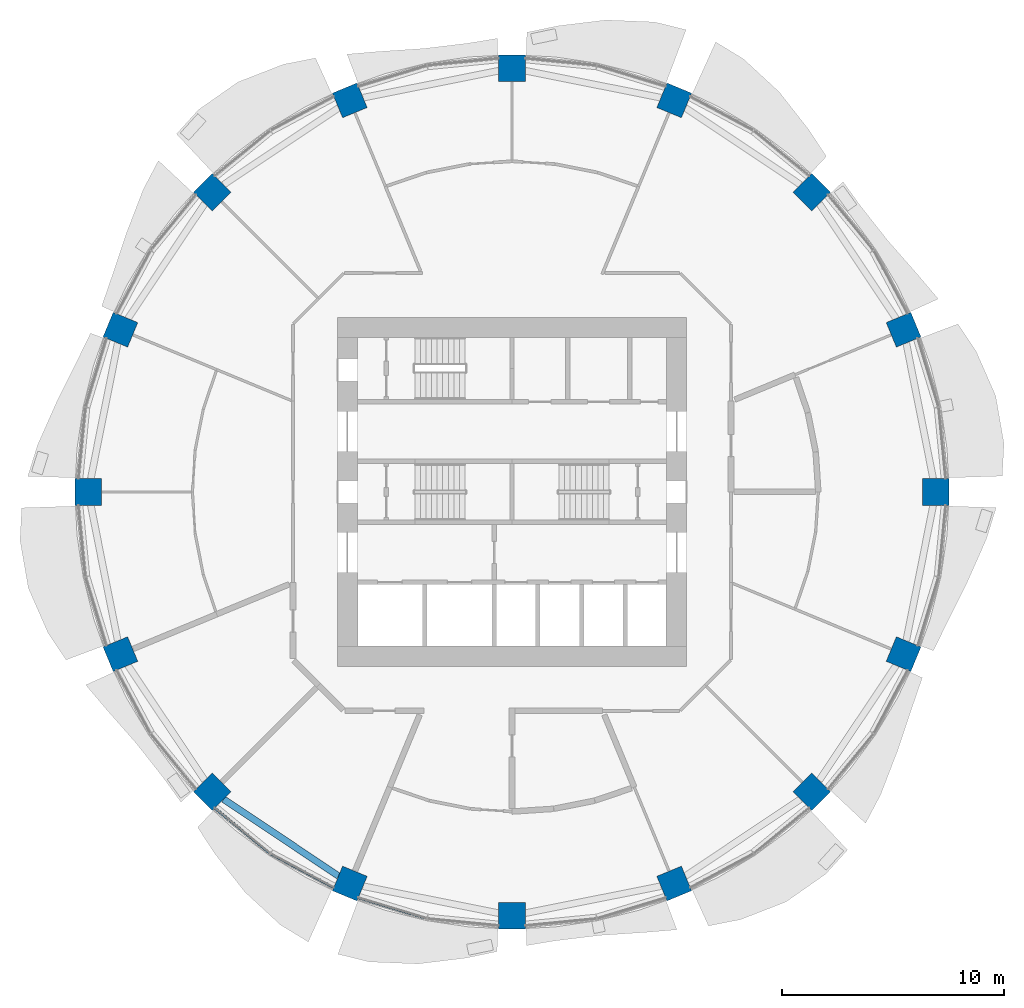
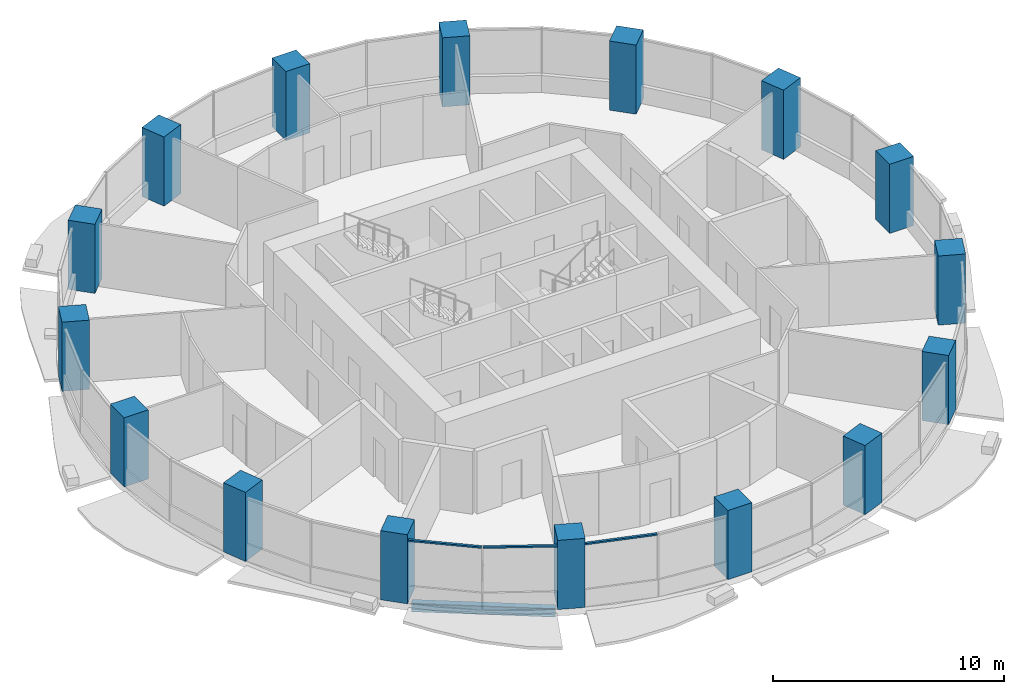
# One storey, part 1 of 15: 16 columns, 3 members, 1 beam, 2 elements without a shape of their own.
"""IFC4 building model written with IfcOpenShell, lengths in metres."""

import ifcopenshell
import ifcopenshell.guid

model = None  # the IFC model being written
_history = None  # IfcOwnerHistory: only IFC2X3 demands one
_inside = {}  # id of a spatial element -> (the spatial element, [elements in it])
_under = {}  # id of a project, library or spatial element -> (it, [spatial elements below it])
_declared = {}  # id of a project -> (the project, [libraries it declares])
_typed = {}  # id of a type object -> (the type object, [elements of that type])
_made_of = {}  # id of a material, layer set ... -> (it, [elements and type objects made of it])


def new_model(schema):
    """Start an empty IFC model of exactly this schema.

    Asked for "IFC4X3", IfcOpenShell would pick the latest addendum, in which some entities
    have other attributes; the version numbers below select the first issue.
    IFC2X3 requires an IfcOwnerHistory on every rooted entity: one is made here for all.
    """
    global model, _history
    if schema == "IFC4X3":
        model = ifcopenshell.file(schema_version=(4, 3, 0, 0))
    else:
        model = ifcopenshell.file(schema=schema)
    _inside.clear()
    _under.clear()
    _declared.clear()
    _typed.clear()
    _made_of.clear()
    _history = None
    if model.schema == "IFC2X3":
        org = make("IfcOrganization", Name="unknown")
        user = make(
            "IfcPersonAndOrganization",
            ThePerson=make("IfcPerson", FamilyName="unknown"),
            TheOrganization=org,
        )
        app = make(
            "IfcApplication",
            ApplicationDeveloper=org,
            Version="unknown",
            ApplicationFullName="unknown",
            ApplicationIdentifier="unknown",
        )
        _history = make(
            "IfcOwnerHistory",
            OwningUser=user,
            OwningApplication=app,
            ChangeAction="ADDED",
            CreationDate=0,
        )
    return model


def make(cls, **values):
    """One entity of the class cls with the attributes given. An attribute that is None is left unset."""
    return model.create_entity(
        cls, **{name: value for name, value in values.items() if value is not None}
    )


def rooted(cls, **values):
    """An entity with a GlobalId (a new one), such as an element, a storey or a relation."""
    return make(cls, GlobalId=ifcopenshell.guid.new(), OwnerHistory=_history, **values)


def si_unit(unit_type, name, prefix=None):
    """IfcSIUnit, for example si_unit("LENGTHUNIT", "METRE", prefix="MILLI")."""
    return make("IfcSIUnit", UnitType=unit_type, Prefix=prefix, Name=name)


def assignment(units):
    """IfcUnitAssignment: the units of a project."""
    return None if units is None else make("IfcUnitAssignment", Units=units)


def point(xyz):
    """IfcCartesianPoint."""
    return None if xyz is None else make("IfcCartesianPoint", Coordinates=xyz)


def direction(xyz):
    """IfcDirection."""
    return None if xyz is None else make("IfcDirection", DirectionRatios=xyz)


def frame(location, z_axis=None, x_axis=None):
    """IfcAxis2Placement3D, a coordinate frame: its origin and axes. An axis left out is left unset."""
    return make(
        "IfcAxis2Placement3D",
        Location=point(location),
        Axis=direction(z_axis),
        RefDirection=direction(x_axis),
    )


def frame_2d(location, x_axis=None):
    """IfcAxis2Placement2D, a coordinate frame in the plane: its origin and x axis."""
    return make(
        "IfcAxis2Placement2D", Location=point(location), RefDirection=direction(x_axis)
    )


def origin():
    """The frame at (0, 0, 0) with its axes left unset."""
    return frame((0.0, 0.0, 0.0))


def origin_2d():
    """The frame at (0, 0) in the plane with its x axis left unset."""
    return frame_2d((0.0, 0.0))


def place(relative_to, where):
    """IfcLocalPlacement: puts the frame where relative to a parent placement (None: the world)."""
    return make(
        "IfcLocalPlacement", PlacementRelTo=relative_to, RelativePlacement=where
    )


def context(
    kind, dimensions, precision=None, world=None, true_north=None, identifier=None
):
    """IfcGeometricRepresentationContext, for example the 3D "Model" context."""
    return make(
        "IfcGeometricRepresentationContext",
        ContextIdentifier=identifier,
        ContextType=kind,
        CoordinateSpaceDimension=dimensions,
        Precision=precision,
        WorldCoordinateSystem=world,
        TrueNorth=true_north,
    )


def subcontext(parent, identifier, kind, view, scale=None):
    """IfcGeometricRepresentationSubContext, for example "Body" below "Model"."""
    return make(
        "IfcGeometricRepresentationSubContext",
        ContextIdentifier=identifier,
        ContextType=kind,
        ParentContext=parent,
        TargetScale=scale,
        TargetView=view,
    )


def project(units=None, contexts=None):
    """IfcProject with its units and contexts."""
    return rooted(
        "IfcProject",
        Name="project",
        RepresentationContexts=contexts,
        UnitsInContext=assignment(units),
    )


def spatial(cls, under=None, at=None, **own):
    """A site, building, storey or space (cls), placed at a placement, below another one or the project."""
    s = rooted(cls, ObjectPlacement=at, **own)
    if under is not None:
        _under.setdefault(under.id(), (under, []))[1].append(s)
    return s


def profile(cls, at=None, kind="AREA", **sizes):
    """A parametric profile (cls). Its sizes go by their IFC names, for example OverallWidth=200.0."""
    return make(cls, ProfileType=kind, Position=at, **sizes)


def rectangle(**sizes):
    """IfcRectangleProfileDef."""
    return profile("IfcRectangleProfileDef", **sizes)


def i_section(**sizes):
    """IfcIShapeProfileDef."""
    return profile("IfcIShapeProfileDef", **sizes)


def extrude(swept, where, along, depth):
    """IfcExtrudedAreaSolid: the profile swept, set in the frame where, extruded along a direction by depth."""
    return make(
        "IfcExtrudedAreaSolid",
        SweptArea=swept,
        Position=where,
        ExtrudedDirection=direction(along),
        Depth=depth,
    )


def shape(context_of_items, identifier, shape_type, items):
    """IfcShapeRepresentation: the items that make up one representation, for example the "Body"."""
    return make(
        "IfcShapeRepresentation",
        ContextOfItems=context_of_items,
        RepresentationIdentifier=identifier,
        RepresentationType=shape_type,
        Items=items,
    )


def material(Name=None, Category=None):
    """IfcMaterial."""
    return make("IfcMaterial", Name=Name, Category=Category)


def material_profile(
    of_material, cross_section, Name=None, Category=None, Priority=None
):
    """IfcMaterialProfile: a cross section and its material."""
    return make(
        "IfcMaterialProfile",
        Name=Name,
        Material=of_material,
        Profile=cross_section,
        Priority=Priority,
        Category=Category,
    )


def profile_set(profiles, Name=None, composite=None):
    """IfcMaterialProfileSet."""
    return make(
        "IfcMaterialProfileSet",
        Name=Name,
        MaterialProfiles=profiles,
        CompositeProfile=composite,
    )


def made_of(thing, what):
    """Note that an element or type object is made of a material, layer set ...; save() writes the relation."""
    if what is not None:
        _made_of.setdefault(what.id(), (what, []))[1].append(thing)
    return thing


def type_object(cls, material=None, **own):
    """A type object (cls), such as IfcWallType, which elements share."""
    return made_of(rooted(cls, **own), material)


def element(
    cls,
    number,
    at=None,
    inside=None,
    cuts=None,
    type_object=None,
    material=None,
    context=None,
    identifier="Body",
    shape_type=None,
    held_by="IfcProductDefinitionShape",
    body=None,
    shapes=None,
    **own,
):
    """One element of the class cls, such as IfcWall. Its Tag is "e" and its number.

    at: its placement. inside: the storey or other place that contains it. cuts: it is an
    opening in that element (IfcRelVoidsElement). A single representation is given by context,
    identifier, shape_type and body (its items); several are given by shapes. held_by: the class
    of the entity that holds the representations. save() writes the other relations.
    """
    e = rooted(cls, Tag="e%d" % number, ObjectPlacement=at, **own)
    if body is not None:
        shapes = [shape(context, identifier, shape_type, body)]
    if shapes is not None:
        e.Representation = make(held_by, Representations=shapes)
    if inside is not None:
        _inside.setdefault(inside.id(), (inside, []))[1].append(e)
    if cuts is not None:
        rooted(
            "IfcRelVoidsElement", RelatingBuildingElement=cuts, RelatedOpeningElement=e
        )
    if type_object is not None:
        _typed.setdefault(type_object.id(), (type_object, []))[1].append(e)
    return made_of(e, material)


def aggregate(whole, parts):
    """IfcRelAggregates: a whole, such as a stair, and the parts it consists of."""
    return rooted("IfcRelAggregates", RelatingObject=whole, RelatedObjects=parts)


def save(model, path):
    """Write the relations noted so far, then the file.

    IfcRelAggregates (storeys below a building ...), IfcRelContainedInSpatialStructure (elements
    in a storey), IfcRelDefinesByType, IfcRelAssociatesMaterial and IfcRelDeclares: one each for
    every whole, place, type object, material and project.
    """
    for whole, parts in _under.values():
        aggregate(whole, parts)
    for where, things in _inside.values():
        rooted(
            "IfcRelContainedInSpatialStructure",
            RelatedElements=things,
            RelatingStructure=where,
        )
    for kind, things in _typed.values():
        rooted("IfcRelDefinesByType", RelatedObjects=things, RelatingType=kind)
    for what, things in _made_of.values():
        rooted("IfcRelAssociatesMaterial", RelatedObjects=things, RelatingMaterial=what)
    for by, libraries in _declared.values():
        rooted("IfcRelDeclares", RelatingContext=by, RelatedDefinitions=libraries)
    model.write(path)


model = new_model("IFC4")

# Units and contexts
model_context = context("Model", 3, precision=1e-05, world=origin(), true_north=direction((0.0, 1.0)))
body_context = subcontext(model_context, "Body", "Model", "MODEL_VIEW")
ifc_project = project(units=[si_unit("LENGTHUNIT", "METRE"), si_unit("AREAUNIT", "SQUARE_METRE"), si_unit("VOLUMEUNIT", "CUBIC_METRE"), si_unit("PLANEANGLEUNIT", "RADIAN"), si_unit("MASSUNIT", "GRAM", prefix="KILO")], contexts=[model_context])

# Site, building, storey
site_placement = place(None, origin())
site = spatial("IfcSite", under=ifc_project, at=site_placement, CompositionType="ELEMENT")
building_placement = place(site_placement, origin())
building = spatial("IfcBuilding", under=site, at=building_placement, Name="Polderwave Tower", CompositionType="ELEMENT")
storey_placement = place(building_placement, frame((0.0, 0.0, 37.14990234375)))
storey = spatial("IfcBuildingStorey", under=building, at=storey_placement, Name="L09", CompositionType="ELEMENT", Elevation=37.14990234375)

# Columns
ifc_material_1 = material(Name="Concrete C70/85", Category="concrete")
ifc_material_profile_1 = material_profile(ifc_material_1, rectangle(XDim=1.199951171875, YDim=1.199951171875, at=origin_2d()), Name="RC 1200x1200")
ifc_profile_set_1 = profile_set([ifc_material_profile_1], Name="Concrete C70/85")
column_type = type_object("IfcColumnType", Name="RC COLUMN 1200x1200 C70/85", PredefinedType="COLUMN", material=ifc_profile_set_1)
for number, where, z_axis, x_axis, name in (
    (1, (19.110107421875, 0.0, 0.0), (0.0, 0.0, 1.0), (1.0, 0.0, 0.0), "Ring column 01"),
    (2, (17.6552734375, 7.31298828125, 0.0), (0.0, 0.0, 1.0), (0.923879532511, 0.382683432365, 0.0), "Ring column 02"),
    (3, (13.5126953125, 13.5126953125, 0.0), (0.0, 0.0, 1.0), (0.707106781187, 0.707106781187, 0.0), "Ring column 03"),
    (4, (7.31298828125, 17.6552734375, 0.0), (0.0, 0.0, 1.0), (0.382683432365, 0.923879532511, 0.0), "Ring column 04"),
    (5, (0.0, 19.110107421875, 0.0), (0.0, 0.0, 1.0), (0.0, 1.0, 0.0), "Ring column 05"),
    (6, (-7.31298828125, 17.6552734375, 0.0), (0.0, 0.0, 1.0), (-0.382683432365, 0.923879532511, 0.0), "Ring column 06"),
    (7, (-13.5126953125, 13.5126953125, 0.0), (0.0, 0.0, 1.0), (-0.707106781187, 0.707106781187, 0.0), "Ring column 07"),
    (8, (-17.6552734375, 7.31298828125, 0.0), (0.0, 0.0, 1.0), (-0.923879532511, 0.382683432365, 0.0), "Ring column 08"),
    (9, (-19.110107421875, 0.0, 0.0), (0.0, 0.0, 1.0), (-1.0, 0.0, 0.0), "Ring column 09"),
    (10, (-17.6552734375, -7.31298828125, 0.0), (0.0, 0.0, 1.0), (-0.923879532511, -0.382683432365, 0.0), "Ring column 10"),
    (11, (-13.5126953125, -13.5126953125, 0.0), (0.0, 0.0, 1.0), (-0.707106781187, -0.707106781187, 0.0), "Ring column 11"),
    (12, (-7.31298828125, -17.6552734375, 0.0), (0.0, 0.0, 1.0), (-0.382683432365, -0.923879532511, 0.0), "Ring column 12"),
    (13, (0.0, -19.110107421875, 0.0), (0.0, 0.0, 1.0), (0.0, -1.0, 0.0), "Ring column 13"),
    (14, (7.31298828125, -17.6552734375, 0.0), (0.0, 0.0, 1.0), (0.382683432365, -0.923879532511, 0.0), "Ring column 14"),
    (15, (13.5126953125, -13.5126953125, 0.0), (0.0, 0.0, 1.0), (0.707106781187, -0.707106781187, 0.0), "Ring column 15"),
    (16, (17.6552734375, -7.31298828125, 0.0), (0.0, 0.0, 1.0), (0.923879532511, -0.382683432365, 0.0), "Ring column 16"),
):
    element("IfcColumn", number, at=place(storey_placement, frame(where, z_axis=z_axis, x_axis=x_axis)), inside=storey, type_object=column_type, Name=name, PredefinedType="COLUMN", context=body_context, shape_type="SweptSolid", body=[
        extrude(rectangle(XDim=1.199951171875, YDim=1.199951171875, at=origin_2d()), origin(), (0.0, 0.0, 1.0), 3.650146484375),
    ])

# Curtain wall, members
ifc_material_2 = material(Name="Aluminium 6063-T6 and glass", Category="aluminium")
curtain_wall_type = type_object("IfcCurtainWallType", Name="Growing floor ribbon glazing wall", PredefinedType="NOTDEFINED", material=ifc_material_2)
curtain_wall_1_placement = place(storey_placement, origin())
curtain_wall_1 = element("IfcCurtainWall", 17, at=curtain_wall_1_placement, inside=storey, type_object=curtain_wall_type, Name="CW2 L09 10", PredefinedType="NOTDEFINED")
ifc_material_3 = material(Name="Aluminium 6063-T6", Category="aluminium")
ifc_material_profile_2 = material_profile(ifc_material_3, rectangle(XDim=0.1201171875, YDim=0.080078125, at=origin_2d()), Name="AL 80x120")
ifc_profile_set_2 = profile_set([ifc_material_profile_2], Name="Aluminium 6063-T6")
member_type = type_object("IfcMemberType", Name="Growing floor ribbon glazing transom 80x120", PredefinedType="USERDEFINED", material=ifc_profile_set_2)
member_1_placement = place(storey_placement, frame((-13.39990234375, -14.2490234375, 3.260009765625), z_axis=(0.772980616228, -0.634429639074, 0.0), x_axis=(0.634429639074, 0.772980616228, 0.0)))
member_1 = element("IfcMember", 18, at=member_1_placement, type_object=member_type, Name="CW2 transom 1", ObjectType="TRANSOM", PredefinedType="USERDEFINED", context=body_context, shape_type="SweptSolid", body=[
    extrude(rectangle(XDim=0.1201171875, YDim=0.080078125, at=origin_2d()), origin(), (0.0, 0.0, 1.0), 3.21044921875),
])
member_2_placement = place(storey_placement, frame((-10.868408203125, -16.319091796875, 3.260009765625), z_axis=(0.881933848072, -0.471373193578, 0.0), x_axis=(0.471373193578, 0.881933848072, 0.0)))
member_2 = element("IfcMember", 19, at=member_2_placement, type_object=member_type, Name="CW2 transom 2", ObjectType="TRANSOM", PredefinedType="USERDEFINED", context=body_context, shape_type="SweptSolid", body=[
    extrude(rectangle(XDim=0.1201171875, YDim=0.080078125, at=origin_2d()), origin(), (0.0, 0.0, 1.0), 3.211669921875),
])
aggregate(curtain_wall_1, [member_1, member_2])

# Curtain wall, member
curtain_wall_2_placement = place(storey_placement, origin())
curtain_wall_2 = element("IfcCurtainWall", 20, at=curtain_wall_2_placement, inside=storey, type_object=curtain_wall_type, Name="CW2 L09 11", PredefinedType="NOTDEFINED")
member_3_placement = place(storey_placement, frame((-6.927001953125, -18.2919921875, 3.260009765625), z_axis=(0.956904728961, -0.290402031143, 0.0), x_axis=(0.290402031143, 0.956904728961, 0.0)))
member_3 = element("IfcMember", 21, at=member_3_placement, type_object=member_type, Name="CW2 transom 1", ObjectType="TRANSOM", PredefinedType="USERDEFINED", context=body_context, shape_type="SweptSolid", body=[
    extrude(rectangle(XDim=0.1201171875, YDim=0.080078125, at=origin_2d()), origin(), (0.0, 0.0, 1.0), 3.210693359375),
])
aggregate(curtain_wall_2, [member_3])

# Beam
ifc_material_4 = material(Name="Steel S355", Category="steel")
ifc_material_profile_3 = material_profile(ifc_material_4, i_section(OverallWidth=0.300048828125, OverallDepth=0.449951171875, WebThickness=0.013916015625, FlangeThickness=0.02587890625, at=origin_2d()), Name="HE 450 B")
ifc_profile_set_3 = profile_set([ifc_material_profile_3], Name="Steel S355")
beam_type = type_object("IfcBeamType", Name="RING BEAM HE 450 B", PredefinedType="BEAM", material=ifc_profile_set_3)
beam_placement = place(storey_placement, frame((-13.004150390625, -13.852783203125, -0.574951171875), z_axis=(0.831477355721, -0.555558644, 0.0), x_axis=(0.555558644, 0.831477355721, 0.0)))
element("IfcBeam", 22, at=beam_placement, inside=storey, type_object=beam_type, Name="ST-RB-L09-10", PredefinedType="BEAM", context=body_context, shape_type="SweptSolid", body=[
    extrude(i_section(OverallWidth=0.300048828125, OverallDepth=0.449951171875, WebThickness=0.013916015625, FlangeThickness=0.02587890625, at=origin_2d()), origin(), (0.0, 0.0, 1.0), 6.232666015625),
])

save(model, "model.ifc")
